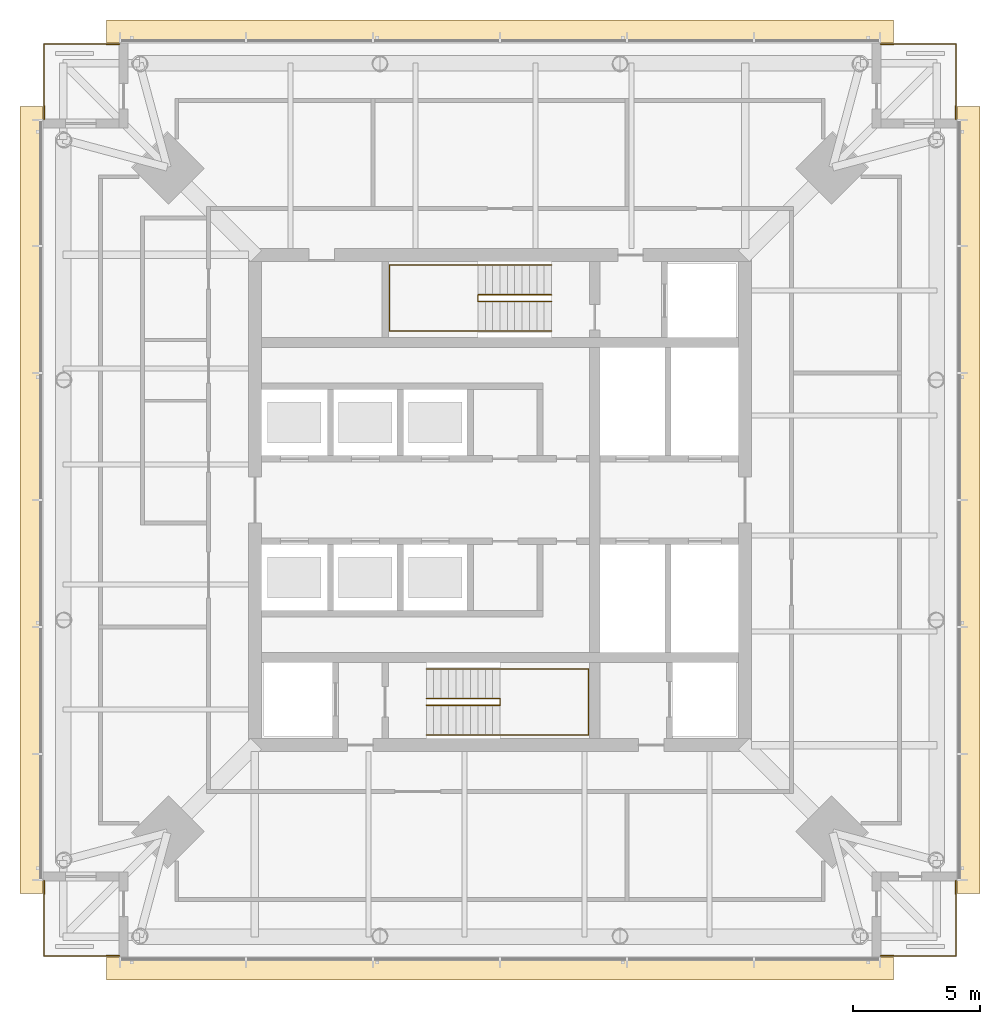
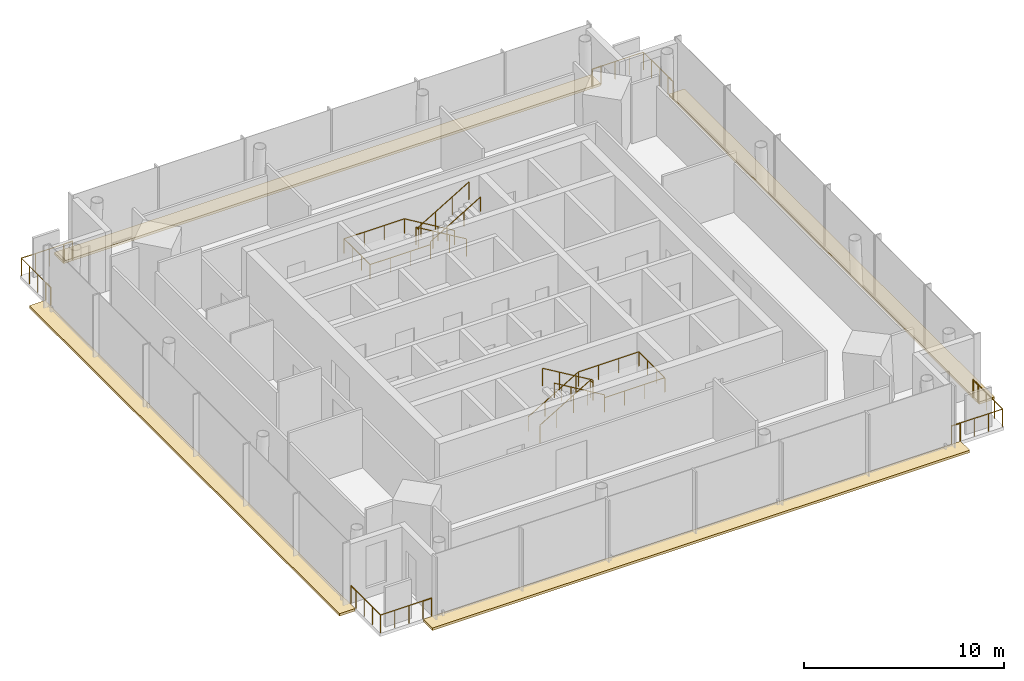
# One storey, part 9 of 10: 16 railings, 4 coverings.
"""IFC4 building model written with IfcOpenShell, lengths in metres."""

from ifc_helpers import new_model, si_unit, direction, frame, origin, origin_2d, place, context, subcontext, project, spatial, polyline, circle, outline, extrude, material, layer, layer_set, type_object, element, save


model = new_model("IFC4")

# Units and contexts
model_context = context("Model", 3, precision=1e-05, world=origin(), true_north=direction((0.0, 1.0)))
body_context = subcontext(model_context, "Body", "Model", "MODEL_VIEW")
ifc_project = project(units=[si_unit("LENGTHUNIT", "METRE"), si_unit("AREAUNIT", "SQUARE_METRE"), si_unit("VOLUMEUNIT", "CUBIC_METRE"), si_unit("PLANEANGLEUNIT", "RADIAN"), si_unit("MASSUNIT", "GRAM", prefix="KILO")], contexts=[model_context])

# Site, building, storey
site_placement = place(None, origin())
site = spatial("IfcSite", under=ifc_project, at=site_placement, CompositionType="ELEMENT")
building_placement = place(site_placement, origin())
building = spatial("IfcBuilding", under=site, at=building_placement, Name="Ostroluk Exchange", CompositionType="ELEMENT")
storey_placement = place(building_placement, frame((0.0, 0.0, 233.800048828125)))
storey = spatial("IfcBuildingStorey", under=building, at=storey_placement, Name="L60", CompositionType="ELEMENT", Elevation=233.800048828125)

# Railings
ifc_material_1 = material(Name="Stainless steel", Category="steel")
railing_type_1 = type_object("IfcRailingType", Name="Guard 1100 stainless steel", PredefinedType="GUARDRAIL", material=ifc_material_1)
railing_1_placement = place(storey_placement, frame((60.5, 28.050048828125, 0.0)))
element("IfcRailing", 1, at=railing_1_placement, inside=storey, type_object=railing_type_1, Name="Office tower SE balcony guard L60", PredefinedType="GUARDRAIL", context=body_context, shape_type="SweptSolid", body=[
    extrude(circle(Radius=0.02392578125, at=origin_2d()), frame((0.0, 0.0, 1.076171875), z_axis=(1.0, 0.0, 0.0), x_axis=(0.0, 1.0, 0.0)), (0.0, 0.0, 1.0), 2.449951171875),
    extrude(circle(Radius=0.02392578125, at=origin_2d()), frame((2.449951171875, 0.0, 1.076171875), z_axis=(0.0, 1.0, 0.0), x_axis=(-1.0, 0.0, 0.0)), (0.0, 0.0, 1.0), 2.449951171875),
    extrude(circle(Radius=0.02099609375, at=origin_2d()), origin(), (0.0, 0.0, 1.0), 1.052001953125),
    extrude(circle(Radius=0.02099609375, at=origin_2d()), frame((0.816650390625, 0.0, 0.0)), (0.0, 0.0, 1.0), 1.052001953125),
    extrude(circle(Radius=0.02099609375, at=origin_2d()), frame((1.63330078125, 0.0, 0.0)), (0.0, 0.0, 1.0), 1.052001953125),
    extrude(circle(Radius=0.02099609375, at=origin_2d()), frame((2.449951171875, 0.0, 0.0)), (0.0, 0.0, 1.0), 1.052001953125),
    extrude(circle(Radius=0.02099609375, at=origin_2d()), frame((2.449951171875, 0.816650390625, 0.0)), (0.0, 0.0, 1.0), 1.052001953125),
    extrude(circle(Radius=0.02099609375, at=origin_2d()), frame((2.449951171875, 1.63330078125, 0.0)), (0.0, 0.0, 1.0), 1.052001953125),
    extrude(circle(Radius=0.02099609375, at=origin_2d()), frame((2.449951171875, 2.449951171875, 0.0)), (0.0, 0.0, 1.0), 1.052001953125),
])
railing_2_placement = place(storey_placement, frame((60.5, 63.949951171875, 0.0)))
element("IfcRailing", 2, at=railing_2_placement, inside=storey, type_object=railing_type_1, Name="Office tower NE balcony guard L60", PredefinedType="GUARDRAIL", context=body_context, shape_type="SweptSolid", body=[
    extrude(circle(Radius=0.02392578125, at=origin_2d()), frame((0.0, 0.0, 1.076171875), z_axis=(1.0, 0.0, 0.0), x_axis=(0.0, 1.0, 0.0)), (0.0, 0.0, 1.0), 2.449951171875),
    extrude(circle(Radius=0.02392578125, at=origin_2d()), frame((2.449951171875, 0.0, 1.076171875), z_axis=(0.0, -1.0, 0.0), x_axis=(1.0, 0.0, 0.0)), (0.0, 0.0, 1.0), 2.449951171875),
    extrude(circle(Radius=0.02099609375, at=origin_2d()), origin(), (0.0, 0.0, 1.0), 1.052001953125),
    extrude(circle(Radius=0.02099609375, at=origin_2d()), frame((0.816650390625, 0.0, 0.0)), (0.0, 0.0, 1.0), 1.052001953125),
    extrude(circle(Radius=0.02099609375, at=origin_2d()), frame((1.63330078125, 0.0, 0.0)), (0.0, 0.0, 1.0), 1.052001953125),
    extrude(circle(Radius=0.02099609375, at=origin_2d()), frame((2.449951171875, 0.0, 0.0)), (0.0, 0.0, 1.0), 1.052001953125),
    extrude(circle(Radius=0.02099609375, at=origin_2d()), frame((2.449951171875, -0.816650390625, 0.0)), (0.0, 0.0, 1.0), 1.052001953125),
    extrude(circle(Radius=0.02099609375, at=origin_2d()), frame((2.449951171875, -1.63330078125, 0.0)), (0.0, 0.0, 1.0), 1.052001953125),
    extrude(circle(Radius=0.02099609375, at=origin_2d()), frame((2.449951171875, -2.449951171875, 0.0)), (0.0, 0.0, 1.0), 1.052001953125),
])
railing_3_placement = place(storey_placement, frame((29.5, 63.949951171875, 0.0)))
element("IfcRailing", 3, at=railing_3_placement, inside=storey, type_object=railing_type_1, Name="Office tower NW balcony guard L60", PredefinedType="GUARDRAIL", context=body_context, shape_type="SweptSolid", body=[
    extrude(circle(Radius=0.02392578125, at=origin_2d()), frame((0.0, 0.0, 1.076171875), z_axis=(-1.0, 0.0, 0.0), x_axis=(0.0, -1.0, 0.0)), (0.0, 0.0, 1.0), 2.449951171875),
    extrude(circle(Radius=0.02392578125, at=origin_2d()), frame((-2.449951171875, 0.0, 1.076171875), z_axis=(0.0, -1.0, 0.0), x_axis=(1.0, 0.0, 0.0)), (0.0, 0.0, 1.0), 2.449951171875),
    extrude(circle(Radius=0.02099609375, at=origin_2d()), origin(), (0.0, 0.0, 1.0), 1.052001953125),
    extrude(circle(Radius=0.02099609375, at=origin_2d()), frame((-0.816650390625, 0.0, 0.0)), (0.0, 0.0, 1.0), 1.052001953125),
    extrude(circle(Radius=0.02099609375, at=origin_2d()), frame((-1.63330078125, 0.0, 0.0)), (0.0, 0.0, 1.0), 1.052001953125),
    extrude(circle(Radius=0.02099609375, at=origin_2d()), frame((-2.449951171875, 0.0, 0.0)), (0.0, 0.0, 1.0), 1.052001953125),
    extrude(circle(Radius=0.02099609375, at=origin_2d()), frame((-2.449951171875, -0.816650390625, 0.0)), (0.0, 0.0, 1.0), 1.052001953125),
    extrude(circle(Radius=0.02099609375, at=origin_2d()), frame((-2.449951171875, -1.63330078125, 0.0)), (0.0, 0.0, 1.0), 1.052001953125),
    extrude(circle(Radius=0.02099609375, at=origin_2d()), frame((-2.449951171875, -2.449951171875, 0.0)), (0.0, 0.0, 1.0), 1.052001953125),
])
railing_4_placement = place(storey_placement, frame((29.5, 28.050048828125, 0.0)))
element("IfcRailing", 4, at=railing_4_placement, inside=storey, type_object=railing_type_1, Name="Office tower SW balcony guard L60", PredefinedType="GUARDRAIL", context=body_context, shape_type="SweptSolid", body=[
    extrude(circle(Radius=0.02392578125, at=origin_2d()), frame((0.0, 0.0, 1.076171875), z_axis=(-1.0, 0.0, 0.0), x_axis=(0.0, -1.0, 0.0)), (0.0, 0.0, 1.0), 2.449951171875),
    extrude(circle(Radius=0.02392578125, at=origin_2d()), frame((-2.449951171875, 0.0, 1.076171875), z_axis=(0.0, 1.0, 0.0), x_axis=(-1.0, 0.0, 0.0)), (0.0, 0.0, 1.0), 2.449951171875),
    extrude(circle(Radius=0.02099609375, at=origin_2d()), origin(), (0.0, 0.0, 1.0), 1.052001953125),
    extrude(circle(Radius=0.02099609375, at=origin_2d()), frame((-0.816650390625, 0.0, 0.0)), (0.0, 0.0, 1.0), 1.052001953125),
    extrude(circle(Radius=0.02099609375, at=origin_2d()), frame((-1.63330078125, 0.0, 0.0)), (0.0, 0.0, 1.0), 1.052001953125),
    extrude(circle(Radius=0.02099609375, at=origin_2d()), frame((-2.449951171875, 0.0, 0.0)), (0.0, 0.0, 1.0), 1.052001953125),
    extrude(circle(Radius=0.02099609375, at=origin_2d()), frame((-2.449951171875, 0.816650390625, 0.0)), (0.0, 0.0, 1.0), 1.052001953125),
    extrude(circle(Radius=0.02099609375, at=origin_2d()), frame((-2.449951171875, 1.63330078125, 0.0)), (0.0, 0.0, 1.0), 1.052001953125),
    extrude(circle(Radius=0.02099609375, at=origin_2d()), frame((-2.449951171875, 2.449951171875, 0.0)), (0.0, 0.0, 1.0), 1.052001953125),
])
ifc_material_2 = material(Name="Stainless steel", Category="steel")
railing_type_2 = type_object("IfcRailingType", Name="Lockable maintenance gate 1100", PredefinedType="GUARDRAIL", material=ifc_material_2)
railing_5_placement = place(storey_placement, frame((60.0, 28.050048828125, 0.0)))
element("IfcRailing", 5, at=railing_5_placement, inside=storey, type_object=railing_type_2, Name="Lockable maintenance gate T1 L60 SE", PredefinedType="GUARDRAIL", context=body_context, shape_type="SweptSolid", body=[
    extrude(circle(Radius=0.02392578125, at=origin_2d()), frame((0.0, 0.0, 1.076171875), z_axis=(1.0, 0.0, 0.0), x_axis=(0.0, 1.0, 0.0)), (0.0, 0.0, 1.0), 0.5),
    extrude(circle(Radius=0.02099609375, at=origin_2d()), origin(), (0.0, 0.0, 1.0), 1.052001953125),
    extrude(circle(Radius=0.02099609375, at=origin_2d()), frame((0.5, 0.0, 0.0)), (0.0, 0.0, 1.0), 1.052001953125),
])
railing_6_placement = place(storey_placement, frame((62.949951171875, 30.5, 0.0)))
element("IfcRailing", 6, at=railing_6_placement, inside=storey, type_object=railing_type_2, Name="Lockable maintenance gate T1 L60 SE", PredefinedType="GUARDRAIL", context=body_context, shape_type="SweptSolid", body=[
    extrude(circle(Radius=0.02392578125, at=origin_2d()), frame((0.0, 0.0, 1.076171875), z_axis=(0.0, 1.0, 0.0), x_axis=(-1.0, 0.0, 0.0)), (0.0, 0.0, 1.0), 0.5),
    extrude(circle(Radius=0.02099609375, at=origin_2d()), origin(), (0.0, 0.0, 1.0), 1.052001953125),
    extrude(circle(Radius=0.02099609375, at=origin_2d()), frame((0.0, 0.5, 0.0)), (0.0, 0.0, 1.0), 1.052001953125),
])
railing_7_placement = place(storey_placement, frame((60.0, 63.949951171875, 0.0)))
element("IfcRailing", 7, at=railing_7_placement, inside=storey, type_object=railing_type_2, Name="Lockable maintenance gate T1 L60 NE", PredefinedType="GUARDRAIL", context=body_context, shape_type="SweptSolid", body=[
    extrude(circle(Radius=0.02392578125, at=origin_2d()), frame((0.0, 0.0, 1.076171875), z_axis=(1.0, 0.0, 0.0), x_axis=(0.0, 1.0, 0.0)), (0.0, 0.0, 1.0), 0.5),
    extrude(circle(Radius=0.02099609375, at=origin_2d()), origin(), (0.0, 0.0, 1.0), 1.052001953125),
    extrude(circle(Radius=0.02099609375, at=origin_2d()), frame((0.5, 0.0, 0.0)), (0.0, 0.0, 1.0), 1.052001953125),
])
railing_8_placement = place(storey_placement, frame((62.949951171875, 61.5, 0.0)))
element("IfcRailing", 8, at=railing_8_placement, inside=storey, type_object=railing_type_2, Name="Lockable maintenance gate T1 L60 NE", PredefinedType="GUARDRAIL", context=body_context, shape_type="SweptSolid", body=[
    extrude(circle(Radius=0.02392578125, at=origin_2d()), frame((0.0, 0.0, 1.076171875), z_axis=(0.0, -1.0, 0.0), x_axis=(1.0, 0.0, 0.0)), (0.0, 0.0, 1.0), 0.5),
    extrude(circle(Radius=0.02099609375, at=origin_2d()), origin(), (0.0, 0.0, 1.0), 1.052001953125),
    extrude(circle(Radius=0.02099609375, at=origin_2d()), frame((0.0, -0.5, 0.0)), (0.0, 0.0, 1.0), 1.052001953125),
])
railing_9_placement = place(storey_placement, frame((30.0, 63.949951171875, 0.0)))
element("IfcRailing", 9, at=railing_9_placement, inside=storey, type_object=railing_type_2, Name="Lockable maintenance gate T1 L60 NW", PredefinedType="GUARDRAIL", context=body_context, shape_type="SweptSolid", body=[
    extrude(circle(Radius=0.02392578125, at=origin_2d()), frame((0.0, 0.0, 1.076171875), z_axis=(-1.0, 0.0, 0.0), x_axis=(0.0, -1.0, 0.0)), (0.0, 0.0, 1.0), 0.5),
    extrude(circle(Radius=0.02099609375, at=origin_2d()), origin(), (0.0, 0.0, 1.0), 1.052001953125),
    extrude(circle(Radius=0.02099609375, at=origin_2d()), frame((-0.5, 0.0, 0.0)), (0.0, 0.0, 1.0), 1.052001953125),
])
railing_10_placement = place(storey_placement, frame((27.050048828125, 61.5, 0.0)))
element("IfcRailing", 10, at=railing_10_placement, inside=storey, type_object=railing_type_2, Name="Lockable maintenance gate T1 L60 NW", PredefinedType="GUARDRAIL", context=body_context, shape_type="SweptSolid", body=[
    extrude(circle(Radius=0.02392578125, at=origin_2d()), frame((0.0, 0.0, 1.076171875), z_axis=(0.0, -1.0, 0.0), x_axis=(1.0, 0.0, 0.0)), (0.0, 0.0, 1.0), 0.5),
    extrude(circle(Radius=0.02099609375, at=origin_2d()), origin(), (0.0, 0.0, 1.0), 1.052001953125),
    extrude(circle(Radius=0.02099609375, at=origin_2d()), frame((0.0, -0.5, 0.0)), (0.0, 0.0, 1.0), 1.052001953125),
])
railing_11_placement = place(storey_placement, frame((30.0, 28.050048828125, 0.0)))
element("IfcRailing", 11, at=railing_11_placement, inside=storey, type_object=railing_type_2, Name="Lockable maintenance gate T1 L60 SW", PredefinedType="GUARDRAIL", context=body_context, shape_type="SweptSolid", body=[
    extrude(circle(Radius=0.02392578125, at=origin_2d()), frame((0.0, 0.0, 1.076171875), z_axis=(-1.0, 0.0, 0.0), x_axis=(0.0, -1.0, 0.0)), (0.0, 0.0, 1.0), 0.5),
    extrude(circle(Radius=0.02099609375, at=origin_2d()), origin(), (0.0, 0.0, 1.0), 1.052001953125),
    extrude(circle(Radius=0.02099609375, at=origin_2d()), frame((-0.5, 0.0, 0.0)), (0.0, 0.0, 1.0), 1.052001953125),
])
railing_12_placement = place(storey_placement, frame((27.050048828125, 30.5, 0.0)))
element("IfcRailing", 12, at=railing_12_placement, inside=storey, type_object=railing_type_2, Name="Lockable maintenance gate T1 L60 SW", PredefinedType="GUARDRAIL", context=body_context, shape_type="SweptSolid", body=[
    extrude(circle(Radius=0.02392578125, at=origin_2d()), frame((0.0, 0.0, 1.076171875), z_axis=(0.0, 1.0, 0.0), x_axis=(-1.0, 0.0, 0.0)), (0.0, 0.0, 1.0), 0.5),
    extrude(circle(Radius=0.02099609375, at=origin_2d()), origin(), (0.0, 0.0, 1.0), 1.052001953125),
    extrude(circle(Radius=0.02099609375, at=origin_2d()), frame((0.0, 0.5, 0.0)), (0.0, 0.0, 1.0), 1.052001953125),
])

# Coverings
ifc_material_3 = material(Name="Insulated steel roof deck with membrane, laid to falls, aluminium coping", Category="steel")
ifc_layer = layer(ifc_material_3, 0.14990234375)
ifc_layer_set = layer_set([ifc_layer], Name="Setback maintenance roof")
covering_type = type_object("IfcCoveringType", Name="Setback maintenance roof", PredefinedType="ROOFING", material=ifc_layer_set)
covering_1_placement = place(storey_placement, frame((0.0, 0.0, -0.150146484375)))
element("IfcCovering", 13, at=covering_1_placement, inside=storey, type_object=covering_type, Name="Maintenance roof, setback L60 south", PredefinedType="ROOFING", context=body_context, shape_type="SweptSolid", body=[
    extrude(outline(polyline([(29.5, 28.0), (60.5, 28.0), (60.5, 27.10009765625), (29.5, 27.10009765625), (29.5, 28.0)])), origin(), (0.0, 0.0, 1.0), 0.150146484375),
])
covering_2_placement = place(storey_placement, frame((0.0, 0.0, -0.150146484375)))
element("IfcCovering", 14, at=covering_2_placement, inside=storey, type_object=covering_type, Name="Maintenance roof, setback L60 east", PredefinedType="ROOFING", context=body_context, shape_type="SweptSolid", body=[
    extrude(outline(polyline([(63.0, 61.5), (63.89990234375, 61.5), (63.89990234375, 30.5), (63.0, 30.5), (63.0, 61.5)])), origin(), (0.0, 0.0, 1.0), 0.150146484375),
])
covering_3_placement = place(storey_placement, frame((0.0, 0.0, -0.150146484375)))
element("IfcCovering", 15, at=covering_3_placement, inside=storey, type_object=covering_type, Name="Maintenance roof, setback L60 north", PredefinedType="ROOFING", context=body_context, shape_type="SweptSolid", body=[
    extrude(outline(polyline([(29.5, 64.89990234375), (60.5, 64.89990234375), (60.5, 64.0), (29.5, 64.0), (29.5, 64.89990234375)])), origin(), (0.0, 0.0, 1.0), 0.150146484375),
])
covering_4_placement = place(storey_placement, frame((0.0, 0.0, -0.150146484375)))
element("IfcCovering", 16, at=covering_4_placement, inside=storey, type_object=covering_type, Name="Maintenance roof, setback L60 west", PredefinedType="ROOFING", context=body_context, shape_type="SweptSolid", body=[
    extrude(outline(polyline([(26.10009765625, 61.5), (27.0, 61.5), (27.0, 30.5), (26.10009765625, 30.5), (26.10009765625, 61.5)])), origin(), (0.0, 0.0, 1.0), 0.150146484375),
])

# Railings
ifc_material_4 = material(Name="Steel S355", Category="steel")
railing_type_3 = type_object("IfcRailingType", Name="Stair guard 1100", PredefinedType="GUARDRAIL", material=ifc_material_4)
railing_13_placement = place(storey_placement, frame((42.10009765625, 38.179931640625, 0.172607421875)))
element("IfcRailing", 17, at=railing_13_placement, inside=storey, type_object=railing_type_3, Name="Stair T1-S1 guard L60", PredefinedType="GUARDRAIL", context=body_context, shape_type="SweptSolid", body=[
    extrude(circle(Radius=0.02392578125, at=origin_2d()), frame((0.0, 0.0, 1.076171875), z_axis=(0.859141464434, 0.0, 0.511738159696), x_axis=(0.0, 1.0, 0.0)), (0.0, 0.0, 1.0), 3.375244140625),
    extrude(circle(Radius=0.02392578125, at=origin_2d()), frame((2.89990234375, 0.0, 2.80322265625), z_axis=(0.0, -1.0, 0.0), x_axis=(1.0, 0.0, 0.0)), (0.0, 0.0, 1.0), 0.260009765625),
    extrude(circle(Radius=0.02392578125, at=origin_2d()), frame((2.89990234375, -0.260009765625, 2.80322265625), z_axis=(0.0, 0.0, 1.0), x_axis=(1.0, 0.0, 0.0)), (0.0, 0.0, 1.0), 0.1728515625),
    extrude(circle(Radius=0.02392578125, at=origin_2d()), frame((2.89990234375, -0.260009765625, 2.97607421875), z_axis=(-0.859141464434, 0.0, 0.511738159696), x_axis=(0.0, -1.0, 0.0)), (0.0, 0.0, 1.0), 3.375244140625),
    extrude(circle(Radius=0.02099609375, at=origin_2d()), origin(), (0.0, 0.0, 1.0), 1.052001953125),
    extrude(circle(Radius=0.02099609375, at=origin_2d()), frame((0.966552734375, 0.0, 0.57568359375)), (0.0, 0.0, 1.0), 1.052001953125),
    extrude(circle(Radius=0.02099609375, at=origin_2d()), frame((1.933349609375, 0.0, 1.151611328125)), (0.0, 0.0, 1.0), 1.052001953125),
    extrude(circle(Radius=0.02099609375, at=origin_2d()), frame((2.89990234375, 0.0, 1.727294921875)), (0.0, 0.0, 1.0), 1.052001953125),
    extrude(circle(Radius=0.02099609375, at=origin_2d()), frame((2.89990234375, -0.260009765625, 1.727294921875)), (0.0, 0.0, 1.0), 1.052001953125),
    extrude(circle(Radius=0.02099609375, at=origin_2d()), frame((2.89990234375, -0.260009765625, 1.900146484375)), (0.0, 0.0, 1.0), 1.052001953125),
    extrude(circle(Radius=0.02099609375, at=origin_2d()), frame((1.933349609375, -0.260009765625, 2.475830078125)), (0.0, 0.0, 1.0), 1.052001953125),
    extrude(circle(Radius=0.02099609375, at=origin_2d()), frame((0.966552734375, -0.260009765625, 3.0517578125)), (0.0, 0.0, 1.0), 1.052001953125),
    extrude(circle(Radius=0.02099609375, at=origin_2d()), frame((0.0, -0.260009765625, 3.62744140625)), (0.0, 0.0, 1.0), 1.052001953125),
])
railing_14_placement = place(storey_placement, frame((47.030029296875, 54.080078125, 0.172607421875)))
element("IfcRailing", 18, at=railing_14_placement, inside=storey, type_object=railing_type_3, Name="Stair T1-S2 guard L60", PredefinedType="GUARDRAIL", context=body_context, shape_type="SweptSolid", body=[
    extrude(circle(Radius=0.02392578125, at=origin_2d()), frame((0.0, 0.0, 1.076171875), z_axis=(-0.859160404282, 0.0, 0.51170636083), x_axis=(0.0, -1.0, 0.0)), (0.0, 0.0, 1.0), 3.37548828125),
    extrude(circle(Radius=0.02392578125, at=origin_2d()), frame((-2.900146484375, 0.0, 2.80322265625), z_axis=(0.0, -1.0, 0.0), x_axis=(1.0, 0.0, 0.0)), (0.0, 0.0, 1.0), 0.260009765625),
    extrude(circle(Radius=0.02392578125, at=origin_2d()), frame((-2.900146484375, -0.260009765625, 2.80322265625), z_axis=(0.0, 0.0, 1.0), x_axis=(1.0, 0.0, 0.0)), (0.0, 0.0, 1.0), 0.1728515625),
    extrude(circle(Radius=0.02392578125, at=origin_2d()), frame((-2.900146484375, -0.260009765625, 2.97607421875), z_axis=(0.859160404282, 0.0, 0.51170636083), x_axis=(0.0, 1.0, 0.0)), (0.0, 0.0, 1.0), 3.37548828125),
    extrude(circle(Radius=0.02099609375, at=origin_2d()), origin(), (0.0, 0.0, 1.0), 1.052001953125),
    extrude(circle(Radius=0.02099609375, at=origin_2d()), frame((-0.966796875, 0.0, 0.57568359375)), (0.0, 0.0, 1.0), 1.052001953125),
    extrude(circle(Radius=0.02099609375, at=origin_2d()), frame((-1.933349609375, 0.0, 1.151611328125)), (0.0, 0.0, 1.0), 1.052001953125),
    extrude(circle(Radius=0.02099609375, at=origin_2d()), frame((-2.900146484375, 0.0, 1.727294921875)), (0.0, 0.0, 1.0), 1.052001953125),
    extrude(circle(Radius=0.02099609375, at=origin_2d()), frame((-2.900146484375, -0.260009765625, 1.727294921875)), (0.0, 0.0, 1.0), 1.052001953125),
    extrude(circle(Radius=0.02099609375, at=origin_2d()), frame((-2.900146484375, -0.260009765625, 1.900146484375)), (0.0, 0.0, 1.0), 1.052001953125),
    extrude(circle(Radius=0.02099609375, at=origin_2d()), frame((-1.933349609375, -0.260009765625, 2.475830078125)), (0.0, 0.0, 1.0), 1.052001953125),
    extrude(circle(Radius=0.02099609375, at=origin_2d()), frame((-0.966796875, -0.260009765625, 3.0517578125)), (0.0, 0.0, 1.0), 1.052001953125),
    extrude(circle(Radius=0.02099609375, at=origin_2d()), frame((0.0, -0.260009765625, 3.62744140625)), (0.0, 0.0, 1.0), 1.052001953125),
])
ifc_material_5 = material(Name="Stainless steel", Category="steel")
railing_type_4 = type_object("IfcRailingType", Name="Stair handrail 900", PredefinedType="HANDRAIL", material=ifc_material_5)
railing_15_placement = place(storey_placement, frame((42.10009765625, 39.35009765625, 0.172607421875)))
element("IfcRailing", 19, at=railing_15_placement, inside=storey, type_object=railing_type_4, Name="Stair T1-S1 handrail L60", PredefinedType="HANDRAIL", context=body_context, shape_type="SweptSolid", body=[
    extrude(circle(Radius=0.02392578125, at=origin_2d()), frame((0.0, 0.0, 0.8759765625), z_axis=(0.859141464434, 0.0, 0.511738159696), x_axis=(0.0, 1.0, 0.0)), (0.0, 0.0, 1.0), 3.375244140625),
    extrude(circle(Radius=0.02392578125, at=origin_2d()), frame((2.89990234375, 0.0, 2.60302734375), z_axis=(1.0, 0.0, 0.0), x_axis=(0.0, 1.0, 0.0)), (0.0, 0.0, 1.0), 3.47998046875),
    extrude(circle(Radius=0.02392578125, at=origin_2d()), frame((6.3798828125, 0.0, 2.60302734375), z_axis=(0.0, -1.0, 0.0), x_axis=(1.0, 0.0, 0.0)), (0.0, 0.0, 1.0), 2.60009765625),
    extrude(circle(Radius=0.02392578125, at=origin_2d()), frame((6.3798828125, -2.60009765625, 2.60302734375), z_axis=(-1.0, 0.0, 0.0), x_axis=(0.0, -1.0, 0.0)), (0.0, 0.0, 1.0), 3.47998046875),
    extrude(circle(Radius=0.02392578125, at=origin_2d()), frame((2.89990234375, -2.60009765625, 2.60302734375), z_axis=(0.0, 0.0, 1.0), x_axis=(1.0, 0.0, 0.0)), (0.0, 0.0, 1.0), 0.1728515625),
    extrude(circle(Radius=0.02392578125, at=origin_2d()), frame((2.89990234375, -2.60009765625, 2.77587890625), z_axis=(-0.859141464434, 0.0, 0.511738159696), x_axis=(0.0, -1.0, 0.0)), (0.0, 0.0, 1.0), 3.375244140625),
    extrude(circle(Radius=0.02099609375, at=origin_2d()), origin(), (0.0, 0.0, 1.0), 0.851806640625),
    extrude(circle(Radius=0.02099609375, at=origin_2d()), frame((0.966552734375, 0.0, 0.57568359375)), (0.0, 0.0, 1.0), 0.851806640625),
    extrude(circle(Radius=0.02099609375, at=origin_2d()), frame((1.933349609375, 0.0, 1.151611328125)), (0.0, 0.0, 1.0), 0.851806640625),
    extrude(circle(Radius=0.02099609375, at=origin_2d()), frame((2.89990234375, 0.0, 1.727294921875)), (0.0, 0.0, 1.0), 0.851806640625),
    extrude(circle(Radius=0.02099609375, at=origin_2d()), frame((4.059814453125, 0.0, 1.727294921875)), (0.0, 0.0, 1.0), 0.851806640625),
    extrude(circle(Radius=0.02099609375, at=origin_2d()), frame((5.219970703125, 0.0, 1.727294921875)), (0.0, 0.0, 1.0), 0.851806640625),
    extrude(circle(Radius=0.02099609375, at=origin_2d()), frame((6.3798828125, 0.0, 1.727294921875)), (0.0, 0.0, 1.0), 0.851806640625),
    extrude(circle(Radius=0.02099609375, at=origin_2d()), frame((6.3798828125, -0.86669921875, 1.727294921875)), (0.0, 0.0, 1.0), 0.851806640625),
    extrude(circle(Radius=0.02099609375, at=origin_2d()), frame((6.3798828125, -1.7333984375, 1.727294921875)), (0.0, 0.0, 1.0), 0.851806640625),
    extrude(circle(Radius=0.02099609375, at=origin_2d()), frame((6.3798828125, -2.60009765625, 1.727294921875)), (0.0, 0.0, 1.0), 0.851806640625),
    extrude(circle(Radius=0.02099609375, at=origin_2d()), frame((5.219970703125, -2.60009765625, 1.727294921875)), (0.0, 0.0, 1.0), 0.851806640625),
    extrude(circle(Radius=0.02099609375, at=origin_2d()), frame((4.059814453125, -2.60009765625, 1.727294921875)), (0.0, 0.0, 1.0), 0.851806640625),
    extrude(circle(Radius=0.02099609375, at=origin_2d()), frame((2.89990234375, -2.60009765625, 1.727294921875)), (0.0, 0.0, 1.0), 0.851806640625),
    extrude(circle(Radius=0.02099609375, at=origin_2d()), frame((2.89990234375, -2.60009765625, 1.900146484375)), (0.0, 0.0, 1.0), 0.851806640625),
    extrude(circle(Radius=0.02099609375, at=origin_2d()), frame((1.933349609375, -2.60009765625, 2.475830078125)), (0.0, 0.0, 1.0), 0.851806640625),
    extrude(circle(Radius=0.02099609375, at=origin_2d()), frame((0.966552734375, -2.60009765625, 3.0517578125)), (0.0, 0.0, 1.0), 0.851806640625),
    extrude(circle(Radius=0.02099609375, at=origin_2d()), frame((0.0, -2.60009765625, 3.62744140625)), (0.0, 0.0, 1.0), 0.851806640625),
])
railing_16_placement = place(storey_placement, frame((47.030029296875, 55.25, 0.172607421875)))
element("IfcRailing", 20, at=railing_16_placement, inside=storey, type_object=railing_type_4, Name="Stair T1-S2 handrail L60", PredefinedType="HANDRAIL", context=body_context, shape_type="SweptSolid", body=[
    extrude(circle(Radius=0.02392578125, at=origin_2d()), frame((0.0, 0.0, 0.8759765625), z_axis=(-0.859160404282, 0.0, 0.51170636083), x_axis=(0.0, -1.0, 0.0)), (0.0, 0.0, 1.0), 3.37548828125),
    extrude(circle(Radius=0.02392578125, at=origin_2d()), frame((-2.900146484375, 0.0, 2.60302734375), z_axis=(-1.0, 0.0, 0.0), x_axis=(0.0, -1.0, 0.0)), (0.0, 0.0, 1.0), 3.47998046875),
    extrude(circle(Radius=0.02392578125, at=origin_2d()), frame((-6.380126953125, 0.0, 2.60302734375), z_axis=(0.0, -1.0, 0.0), x_axis=(1.0, 0.0, 0.0)), (0.0, 0.0, 1.0), 2.60009765625),
    extrude(circle(Radius=0.02392578125, at=origin_2d()), frame((-6.380126953125, -2.60009765625, 2.60302734375), z_axis=(1.0, 0.0, 0.0), x_axis=(0.0, 1.0, 0.0)), (0.0, 0.0, 1.0), 3.47998046875),
    extrude(circle(Radius=0.02392578125, at=origin_2d()), frame((-2.900146484375, -2.60009765625, 2.60302734375), z_axis=(0.0, 0.0, 1.0), x_axis=(1.0, 0.0, 0.0)), (0.0, 0.0, 1.0), 0.1728515625),
    extrude(circle(Radius=0.02392578125, at=origin_2d()), frame((-2.900146484375, -2.60009765625, 2.77587890625), z_axis=(0.859160404282, 0.0, 0.51170636083), x_axis=(0.0, 1.0, 0.0)), (0.0, 0.0, 1.0), 3.37548828125),
    extrude(circle(Radius=0.02099609375, at=origin_2d()), origin(), (0.0, 0.0, 1.0), 0.851806640625),
    extrude(circle(Radius=0.02099609375, at=origin_2d()), frame((-0.966796875, 0.0, 0.57568359375)), (0.0, 0.0, 1.0), 0.851806640625),
    extrude(circle(Radius=0.02099609375, at=origin_2d()), frame((-1.933349609375, 0.0, 1.151611328125)), (0.0, 0.0, 1.0), 0.851806640625),
    extrude(circle(Radius=0.02099609375, at=origin_2d()), frame((-2.900146484375, 0.0, 1.727294921875)), (0.0, 0.0, 1.0), 0.851806640625),
    extrude(circle(Radius=0.02099609375, at=origin_2d()), frame((-4.06005859375, 0.0, 1.727294921875)), (0.0, 0.0, 1.0), 0.851806640625),
    extrude(circle(Radius=0.02099609375, at=origin_2d()), frame((-5.22021484375, 0.0, 1.727294921875)), (0.0, 0.0, 1.0), 0.851806640625),
    extrude(circle(Radius=0.02099609375, at=origin_2d()), frame((-6.380126953125, 0.0, 1.727294921875)), (0.0, 0.0, 1.0), 0.851806640625),
    extrude(circle(Radius=0.02099609375, at=origin_2d()), frame((-6.380126953125, -0.86669921875, 1.727294921875)), (0.0, 0.0, 1.0), 0.851806640625),
    extrude(circle(Radius=0.02099609375, at=origin_2d()), frame((-6.380126953125, -1.7333984375, 1.727294921875)), (0.0, 0.0, 1.0), 0.851806640625),
    extrude(circle(Radius=0.02099609375, at=origin_2d()), frame((-6.380126953125, -2.60009765625, 1.727294921875)), (0.0, 0.0, 1.0), 0.851806640625),
    extrude(circle(Radius=0.02099609375, at=origin_2d()), frame((-5.22021484375, -2.60009765625, 1.727294921875)), (0.0, 0.0, 1.0), 0.851806640625),
    extrude(circle(Radius=0.02099609375, at=origin_2d()), frame((-4.06005859375, -2.60009765625, 1.727294921875)), (0.0, 0.0, 1.0), 0.851806640625),
    extrude(circle(Radius=0.02099609375, at=origin_2d()), frame((-2.900146484375, -2.60009765625, 1.727294921875)), (0.0, 0.0, 1.0), 0.851806640625),
    extrude(circle(Radius=0.02099609375, at=origin_2d()), frame((-2.900146484375, -2.60009765625, 1.900146484375)), (0.0, 0.0, 1.0), 0.851806640625),
    extrude(circle(Radius=0.02099609375, at=origin_2d()), frame((-1.933349609375, -2.60009765625, 2.475830078125)), (0.0, 0.0, 1.0), 0.851806640625),
    extrude(circle(Radius=0.02099609375, at=origin_2d()), frame((-0.966796875, -2.60009765625, 3.0517578125)), (0.0, 0.0, 1.0), 0.851806640625),
    extrude(circle(Radius=0.02099609375, at=origin_2d()), frame((0.0, -2.60009765625, 3.62744140625)), (0.0, 0.0, 1.0), 0.851806640625),
])

save(model, "model.ifc")
